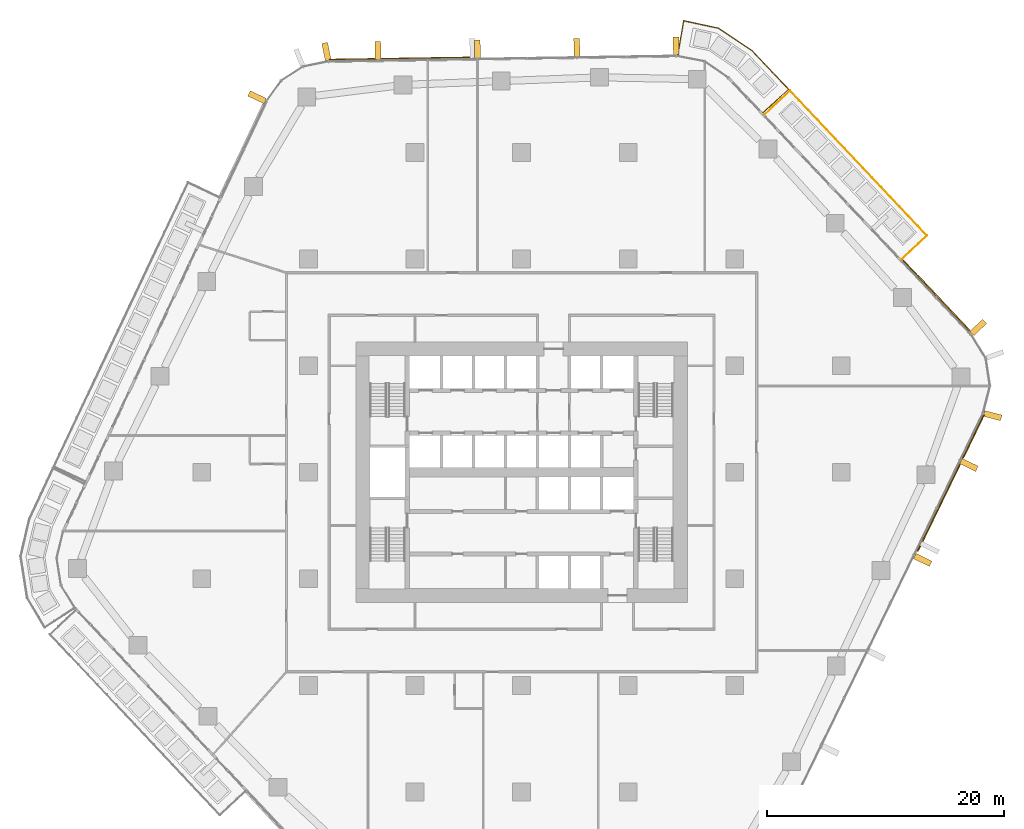
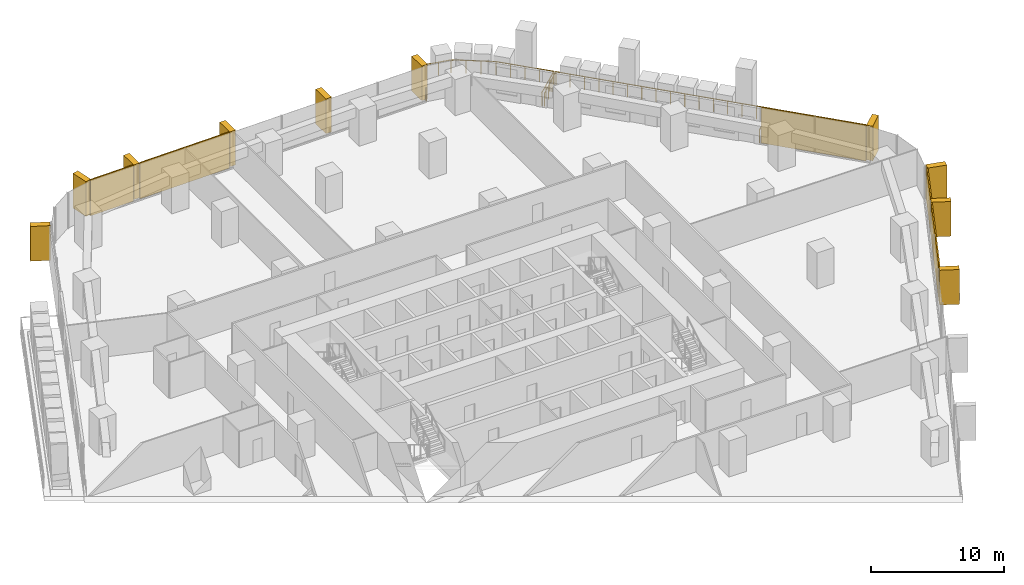
# One storey, part 25 of 25: 15 coverings, 2 railings, 6 elements without a shape of their own.
"""IFC4 building model written with IfcOpenShell, lengths in metres."""

from ifc_helpers import new_model, si_unit, direction, frame, origin, origin_2d, place, context, subcontext, project, spatial, rectangle, circle, extrude, material, layer, layer_set, material_profile, profile_set, type_object, element, aggregate, save


model = new_model("IFC4")

# Units and contexts
model_context = context("Model", 3, precision=1e-05, world=origin(), true_north=direction((0.0, 1.0)))
body_context = subcontext(model_context, "Body", "Model", "MODEL_VIEW")
ifc_project = project(units=[si_unit("LENGTHUNIT", "METRE"), si_unit("AREAUNIT", "SQUARE_METRE"), si_unit("VOLUMEUNIT", "CUBIC_METRE"), si_unit("PLANEANGLEUNIT", "RADIAN"), si_unit("MASSUNIT", "GRAM", prefix="KILO")], contexts=[model_context])

# Site, building, storey
site_placement = place(None, origin())
site = spatial("IfcSite", under=ifc_project, at=site_placement, CompositionType="ELEMENT")
building_placement = place(site_placement, origin())
building = spatial("IfcBuilding", under=site, at=building_placement, Name="Dongbaek Canopy Tower", CompositionType="ELEMENT")
storey_placement = place(building_placement, frame((0.0, 0.0, 81.0)))
storey = spatial("IfcBuildingStorey", under=building, at=storey_placement, Name="L16", CompositionType="ELEMENT", Elevation=81.0)

# Railings
ifc_material_1 = material(Name="Stainless steel", Category="steel")
railing_type = type_object("IfcRailingType", Name="Balcony balustrade 1200", PredefinedType="BALUSTRADE", material=ifc_material_1)
railing_1_placement = place(storey_placement, frame((32.0927734375, 17.977783203125, 0.0)))
element("IfcRailing", 1, at=railing_1_placement, inside=storey, type_object=railing_type, Name="Balcony guard L16 1", PredefinedType="BALUSTRADE", context=body_context, shape_type="SweptSolid", body=[
    extrude(circle(Radius=0.02392578125, at=origin_2d()), frame((0.0, 0.0, 1.17578125), z_axis=(0.726674541298, 0.686981885517, 0.0), x_axis=(-0.686981885517, 0.726674541298, 0.0)), (0.0, 0.0, 1.0), 2.940185546875),
    extrude(circle(Radius=0.02392578125, at=origin_2d()), frame((2.136474609375, 2.019775390625, 1.17578125), z_axis=(-0.687008178482, 0.726649683616, 0.0), x_axis=(-0.726649683616, -0.687008178482, 0.0)), (0.0, 0.0, 1.0), 16.82568359375),
    extrude(circle(Radius=0.02392578125, at=origin_2d()), frame((-9.4228515625, 14.24609375, 1.17578125), z_axis=(-0.72663534797, -0.687023341001, 0.0), x_axis=(0.687023341001, -0.72663534797, 0.0)), (0.0, 0.0, 1.0), 2.93994140625),
    extrude(circle(Radius=0.02099609375, at=origin_2d()), origin(), (0.0, 0.0, 1.0), 1.15185546875),
    extrude(circle(Radius=0.02099609375, at=origin_2d()), frame((0.712158203125, 0.67333984375, 0.0)), (0.0, 0.0, 1.0), 1.15185546875),
    extrude(circle(Radius=0.02099609375, at=origin_2d()), frame((1.42431640625, 1.346435546875, 0.0)), (0.0, 0.0, 1.0), 1.15185546875),
    extrude(circle(Radius=0.02099609375, at=origin_2d()), frame((2.136474609375, 2.019775390625, 0.0)), (0.0, 0.0, 1.0), 1.15185546875),
    extrude(circle(Radius=0.02099609375, at=origin_2d()), frame((1.365966796875, 2.8349609375, 0.0)), (0.0, 0.0, 1.0), 1.15185546875),
    extrude(circle(Radius=0.02099609375, at=origin_2d()), frame((0.59521484375, 3.64990234375, 0.0)), (0.0, 0.0, 1.0), 1.15185546875),
    extrude(circle(Radius=0.02099609375, at=origin_2d()), frame((-0.17529296875, 4.465087890625, 0.0)), (0.0, 0.0, 1.0), 1.15185546875),
    extrude(circle(Radius=0.02099609375, at=origin_2d()), frame((-0.946044921875, 5.280029296875, 0.0)), (0.0, 0.0, 1.0), 1.15185546875),
    extrude(circle(Radius=0.02099609375, at=origin_2d()), frame((-1.716552734375, 6.09521484375, 0.0)), (0.0, 0.0, 1.0), 1.15185546875),
    extrude(circle(Radius=0.02099609375, at=origin_2d()), frame((-2.4873046875, 6.910400390625, 0.0)), (0.0, 0.0, 1.0), 1.15185546875),
    extrude(circle(Radius=0.02099609375, at=origin_2d()), frame((-3.2578125, 7.725341796875, 0.0)), (0.0, 0.0, 1.0), 1.15185546875),
    extrude(circle(Radius=0.02099609375, at=origin_2d()), frame((-4.028564453125, 8.54052734375, 0.0)), (0.0, 0.0, 1.0), 1.15185546875),
    extrude(circle(Radius=0.02099609375, at=origin_2d()), frame((-4.799072265625, 9.35546875, 0.0)), (0.0, 0.0, 1.0), 1.15185546875),
    extrude(circle(Radius=0.02099609375, at=origin_2d()), frame((-5.56982421875, 10.170654296875, 0.0)), (0.0, 0.0, 1.0), 1.15185546875),
    extrude(circle(Radius=0.02099609375, at=origin_2d()), frame((-6.34033203125, 10.98583984375, 0.0)), (0.0, 0.0, 1.0), 1.15185546875),
    extrude(circle(Radius=0.02099609375, at=origin_2d()), frame((-7.111083984375, 11.80078125, 0.0)), (0.0, 0.0, 1.0), 1.15185546875),
    extrude(circle(Radius=0.02099609375, at=origin_2d()), frame((-7.881591796875, 12.615966796875, 0.0)), (0.0, 0.0, 1.0), 1.15185546875),
    extrude(circle(Radius=0.02099609375, at=origin_2d()), frame((-8.65234375, 13.430908203125, 0.0)), (0.0, 0.0, 1.0), 1.15185546875),
    extrude(circle(Radius=0.02099609375, at=origin_2d()), frame((-9.4228515625, 14.24609375, 0.0)), (0.0, 0.0, 1.0), 1.15185546875),
    extrude(circle(Radius=0.02099609375, at=origin_2d()), frame((-10.135009765625, 13.57275390625, 0.0)), (0.0, 0.0, 1.0), 1.15185546875),
    extrude(circle(Radius=0.02099609375, at=origin_2d()), frame((-10.846923828125, 12.899658203125, 0.0)), (0.0, 0.0, 1.0), 1.15185546875),
    extrude(circle(Radius=0.02099609375, at=origin_2d()), frame((-11.55908203125, 12.226318359375, 0.0)), (0.0, 0.0, 1.0), 1.15185546875),
])
railing_2_placement = place(storey_placement, frame((20.382568359375, 30.364013671875, 0.0)))
element("IfcRailing", 2, at=railing_2_placement, inside=storey, type_object=railing_type, Name="Balcony guard L16 5", PredefinedType="BALUSTRADE", context=body_context, shape_type="SweptSolid", body=[
    extrude(circle(Radius=0.02392578125, at=origin_2d()), frame((0.0, 0.0, 1.17578125), z_axis=(0.740525871867, 0.672027851429, 0.0), x_axis=(-0.672027851429, 0.740525871867, 0.0)), (0.0, 0.0, 1.0), 2.9404296875),
    extrude(circle(Radius=0.02392578125, at=origin_2d()), frame((2.177490234375, 1.97607421875, 1.17578125), z_axis=(-0.689539063017, 0.724248493663, 0.0), x_axis=(-0.724248493663, -0.689539063017, 0.0)), (0.0, 0.0, 1.0), 4.515625),
    extrude(circle(Radius=0.02392578125, at=origin_2d()), frame((-0.936279296875, 5.24658203125, 1.17578125), z_axis=(-0.829731235226, 0.55816312785, 0.0), x_axis=(-0.55816312785, -0.829731235226, 0.0)), (0.0, 0.0, 1.0), 3.37939453125),
    extrude(circle(Radius=0.02392578125, at=origin_2d()), frame((-3.740234375, 7.1328125, 1.17578125), z_axis=(-0.977538322671, 0.210757746498, 0.0), x_axis=(-0.210757746498, -0.977538322671, 0.0)), (0.0, 0.0, 1.0), 3.025634765625),
    extrude(circle(Radius=0.02392578125, at=origin_2d()), frame((-6.697998046875, 7.7705078125, 1.17578125), z_axis=(-0.170279451724, -0.985395813022, 0.0), x_axis=(0.985395813022, -0.170279451724, 0.0)), (0.0, 0.0, 1.0), 2.940673828125),
    extrude(circle(Radius=0.02099609375, at=origin_2d()), origin(), (0.0, 0.0, 1.0), 1.15185546875),
    extrude(circle(Radius=0.02099609375, at=origin_2d()), frame((0.725830078125, 0.65869140625, 0.0)), (0.0, 0.0, 1.0), 1.15185546875),
    extrude(circle(Radius=0.02099609375, at=origin_2d()), frame((1.45166015625, 1.3173828125, 0.0)), (0.0, 0.0, 1.0), 1.15185546875),
    extrude(circle(Radius=0.02099609375, at=origin_2d()), frame((2.177490234375, 1.97607421875, 0.0)), (0.0, 0.0, 1.0), 1.15185546875),
    extrude(circle(Radius=0.02099609375, at=origin_2d()), frame((1.39892578125, 2.793701171875, 0.0)), (0.0, 0.0, 1.0), 1.15185546875),
    extrude(circle(Radius=0.02099609375, at=origin_2d()), frame((0.62060546875, 3.611328125, 0.0)), (0.0, 0.0, 1.0), 1.15185546875),
    extrude(circle(Radius=0.02099609375, at=origin_2d()), frame((-0.15771484375, 4.428955078125, 0.0)), (0.0, 0.0, 1.0), 1.15185546875),
    extrude(circle(Radius=0.02099609375, at=origin_2d()), frame((-0.936279296875, 5.24658203125, 0.0)), (0.0, 0.0, 1.0), 1.15185546875),
    extrude(circle(Radius=0.02099609375, at=origin_2d()), frame((-1.870849609375, 5.875244140625, 0.0)), (0.0, 0.0, 1.0), 1.15185546875),
    extrude(circle(Radius=0.02099609375, at=origin_2d()), frame((-2.8056640625, 6.504150390625, 0.0)), (0.0, 0.0, 1.0), 1.15185546875),
    extrude(circle(Radius=0.02099609375, at=origin_2d()), frame((-3.740234375, 7.1328125, 0.0)), (0.0, 0.0, 1.0), 1.15185546875),
    extrude(circle(Radius=0.02099609375, at=origin_2d()), frame((-4.72607421875, 7.345458984375, 0.0)), (0.0, 0.0, 1.0), 1.15185546875),
    extrude(circle(Radius=0.02099609375, at=origin_2d()), frame((-5.712158203125, 7.557861328125, 0.0)), (0.0, 0.0, 1.0), 1.15185546875),
    extrude(circle(Radius=0.02099609375, at=origin_2d()), frame((-6.697998046875, 7.7705078125, 0.0)), (0.0, 0.0, 1.0), 1.15185546875),
    extrude(circle(Radius=0.02099609375, at=origin_2d()), frame((-6.864990234375, 6.8046875, 0.0)), (0.0, 0.0, 1.0), 1.15185546875),
    extrude(circle(Radius=0.02099609375, at=origin_2d()), frame((-7.03173828125, 5.838623046875, 0.0)), (0.0, 0.0, 1.0), 1.15185546875),
    extrude(circle(Radius=0.02099609375, at=origin_2d()), frame((-7.19873046875, 4.872802734375, 0.0)), (0.0, 0.0, 1.0), 1.15185546875),
])

# Curtain wall, coverings
ifc_material_2 = material(Name="Aluminium 6063-T6 pale anodised", Category="aluminium")
ifc_layer_1 = layer(ifc_material_2, 0.199951171875)
ifc_layer_set_1 = layer_set([ifc_layer_1], Name="CW-1 unitised tower curtain wall")
curtain_wall_type = type_object("IfcCurtainWallType", Name="CW-1 unitised tower curtain wall", PredefinedType="NOTDEFINED", material=ifc_layer_set_1)
curtain_wall_1_placement = place(storey_placement, origin())
curtain_wall_1 = element("IfcCurtainWall", 3, at=curtain_wall_1_placement, inside=storey, type_object=curtain_wall_type, Name="CW-1 curtain wall F5.1", PredefinedType="NOTDEFINED")
ifc_material_3 = material(Name="Perforated aluminium 6063-T6 pale metal screen", Category="aluminium")
ifc_layer_2 = layer(ifc_material_3, 0.10009765625)
ifc_layer_set_2 = layer_set([ifc_layer_2], Name="Facet screen FS1 100 pale metal")
covering_type_1 = type_object("IfcCoveringType", Name="Facet screen FS1 100 pale metal", PredefinedType="CLADDING", material=ifc_layer_set_2)
covering_1_placement = place(storey_placement, frame((35.235107421875, -3.001220703125, 0.0), z_axis=(0.0, 0.0, 1.0), x_axis=(0.437759255582, 0.899092227835, 0.0)))
covering_1 = element("IfcCovering", 4, at=covering_1_placement, type_object=covering_type_1, Name="Facet screen L16 F5", PredefinedType="CLADDING", context=body_context, shape_type="SweptSolid", body=[
    extrude(rectangle(XDim=8.156494140625, YDim=0.10009765625, at=origin_2d()), origin(), (0.0, 0.0, 1.0), 3.300048828125),
])
covering_2_placement = place(storey_placement, frame((38.15869140625, 3.003173828125, 0.0), z_axis=(0.0, 0.0, 1.0), x_axis=(0.437759255582, 0.899092227835, 0.0)))
covering_2 = element("IfcCovering", 5, at=covering_2_placement, type_object=covering_type_1, Name="Facet screen L16 F5", PredefinedType="CLADDING", context=body_context, shape_type="SweptSolid", body=[
    extrude(rectangle(XDim=4.039794921875, YDim=0.10009765625, at=origin_2d()), origin(), (0.0, 0.0, 1.0), 3.300048828125),
])

# Curtain wall, covering
curtain_wall_2_placement = place(storey_placement, origin())
curtain_wall_2 = element("IfcCurtainWall", 6, at=curtain_wall_2_placement, inside=storey, type_object=curtain_wall_type, Name="CW-1 curtain wall F0.1", PredefinedType="NOTDEFINED")
covering_3_placement = place(storey_placement, frame((35.0263671875, 14.94189453125, 0.0), z_axis=(0.0, 0.0, 1.0), x_axis=(-0.687005079101, 0.726652613901, 0.0)))
covering_3 = element("IfcCovering", 7, at=covering_3_placement, type_object=covering_type_1, Name="Facet screen L16 F0", PredefinedType="CLADDING", context=body_context, shape_type="SweptSolid", body=[
    extrude(rectangle(XDim=8.22265625, YDim=0.10009765625, at=origin_2d()), origin(), (0.0, 0.0, 1.0), 3.300048828125),
])

# Curtain wall, coverings
curtain_wall_3_placement = place(storey_placement, origin())
curtain_wall_3 = element("IfcCurtainWall", 8, at=curtain_wall_3_placement, inside=storey, type_object=curtain_wall_type, Name="CW-1 curtain wall F1.1", PredefinedType="NOTDEFINED")
covering_4_placement = place(storey_placement, frame((-7.92138671875, 34.972412109375, 0.0), z_axis=(0.0, 0.0, 1.0), x_axis=(-0.999875588534, -0.015773631607, 0.0)))
covering_4 = element("IfcCovering", 9, at=covering_4_placement, type_object=covering_type_1, Name="Facet screen L16 F1", PredefinedType="CLADDING", context=body_context, shape_type="SweptSolid", body=[
    extrude(rectangle(XDim=7.819580078125, YDim=0.10009765625, at=origin_2d()), origin(), (0.0, 0.0, 1.0), 3.300048828125),
])
covering_5_placement = place(storey_placement, frame((-14.294189453125, 34.871826171875, 0.0), z_axis=(0.0, 0.0, 1.0), x_axis=(-0.999875588534, -0.015773631607, 0.0)))
covering_5 = element("IfcCovering", 10, at=covering_5_placement, type_object=covering_type_1, Name="Facet screen L16 F1", PredefinedType="CLADDING", context=body_context, shape_type="SweptSolid", body=[
    extrude(rectangle(XDim=3.767333984375, YDim=0.10009765625, at=origin_2d()), origin(), (0.0, 0.0, 1.0), 3.300048828125),
])

# Curtain wall, covering
curtain_wall_4_placement = place(storey_placement, origin())
curtain_wall_4 = element("IfcCurtainWall", 11, at=curtain_wall_4_placement, inside=storey, type_object=curtain_wall_type, Name="CW-1 curtain wall K0.1", PredefinedType="NOTDEFINED")
ifc_material_4 = material(Name="Aluminium 6063-T6 pale metal fin", Category="aluminium")
ifc_material_profile = material_profile(ifc_material_4, rectangle(XDim=1.5, YDim=0.5, at=origin_2d()), Name="Fin FN1 500 x 1500 pale metal")
ifc_profile_set = profile_set([ifc_material_profile], Name="Aluminium 6063-T6 pale metal fin")
covering_type_2 = type_object("IfcCoveringType", Name="Fin FN1 500 x 1500 pale metal", PredefinedType="CLADDING", material=ifc_profile_set)
covering_6_placement = place(storey_placement, frame((39.787109375, 4.779296875, 0.1201171875), z_axis=(0.0, 0.0, 1.0), x_axis=(0.968574939912, -0.248721904492, 0.0)))
covering_6 = element("IfcCovering", 12, at=covering_6_placement, type_object=covering_type_2, Name="Fin K0.1.1", PredefinedType="CLADDING", context=body_context, shape_type="SweptSolid", body=[
    extrude(rectangle(XDim=1.5, YDim=0.5, at=origin_2d()), origin(), (0.0, 0.0, 1.0), 3.179931640625),
])
aggregate(curtain_wall_4, [covering_6])

# Covering
covering_7_placement = place(storey_placement, frame((38.561767578125, 12.227294921875, 0.1201171875), z_axis=(0.0, 0.0, 1.0), x_axis=(0.72665252709, 0.687005170923, 0.0)))
covering_7 = element("IfcCovering", 13, at=covering_7_placement, type_object=covering_type_2, Name="Fin F0.1.1", PredefinedType="CLADDING", context=body_context, shape_type="SweptSolid", body=[
    extrude(rectangle(XDim=1.5, YDim=0.5, at=origin_2d()), origin(), (0.0, 0.0, 1.0), 3.179931640625),
])

aggregate(curtain_wall_2, [covering_7, covering_3])

covering_8_placement = place(storey_placement, frame((13.0537109375, 36.007568359375, 0.1201171875), z_axis=(0.0, 0.0, 1.0), x_axis=(-0.015774398409, 0.999875576437, 0.0)))
covering_8 = element("IfcCovering", 14, at=covering_8_placement, type_object=covering_type_2, Name="Fin F1.1.1", PredefinedType="CLADDING", context=body_context, shape_type="SweptSolid", body=[
    extrude(rectangle(XDim=1.5, YDim=0.5, at=origin_2d()), origin(), (0.0, 0.0, 1.0), 3.179931640625),
])

covering_9_placement = place(storey_placement, frame((4.66552734375, 35.875244140625, 0.1201171875), z_axis=(0.0, 0.0, 1.0), x_axis=(-0.015774398409, 0.999875576437, 0.0)))
covering_9 = element("IfcCovering", 15, at=covering_9_placement, type_object=covering_type_2, Name="Fin F1.1.3", PredefinedType="CLADDING", context=body_context, shape_type="SweptSolid", body=[
    extrude(rectangle(XDim=1.5, YDim=0.5, at=origin_2d()), origin(), (0.0, 0.0, 1.0), 3.179931640625),
])

covering_10_placement = place(storey_placement, frame((-3.733154296875, 35.74267578125, 0.1201171875), z_axis=(0.0, 0.0, 1.0), x_axis=(-0.015774398409, 0.999875576437, 0.0)))
covering_10 = element("IfcCovering", 16, at=covering_10_placement, type_object=covering_type_2, Name="Fin F1.1.5", PredefinedType="CLADDING", context=body_context, shape_type="SweptSolid", body=[
    extrude(rectangle(XDim=1.5, YDim=0.5, at=origin_2d()), origin(), (0.0, 0.0, 1.0), 3.179931640625),
])

covering_11_placement = place(storey_placement, frame((-12.1318359375, 35.610107421875, 0.1201171875), z_axis=(0.0, 0.0, 1.0), x_axis=(-0.015774398409, 0.999875576437, 0.0)))
covering_11 = element("IfcCovering", 17, at=covering_11_placement, type_object=covering_type_2, Name="Fin F1.1.7", PredefinedType="CLADDING", context=body_context, shape_type="SweptSolid", body=[
    extrude(rectangle(XDim=1.5, YDim=0.5, at=origin_2d()), origin(), (0.0, 0.0, 1.0), 3.179931640625),
])

aggregate(curtain_wall_3, [covering_8, covering_9, covering_10, covering_11, covering_4, covering_5])

# Curtain wall, covering
curtain_wall_5_placement = place(storey_placement, origin())
curtain_wall_5 = element("IfcCurtainWall", 18, at=curtain_wall_5_placement, inside=storey, type_object=curtain_wall_type, Name="CW-1 curtain wall K2.1", PredefinedType="NOTDEFINED")
covering_12_placement = place(storey_placement, frame((-16.478515625, 35.52685546875, 0.1201171875), z_axis=(0.0, 0.0, 1.0), x_axis=(-0.200028966133, 0.97978998398, 0.0)))
covering_12 = element("IfcCovering", 19, at=covering_12_placement, type_object=covering_type_2, Name="Fin K2.1.1", PredefinedType="CLADDING", context=body_context, shape_type="SweptSolid", body=[
    extrude(rectangle(XDim=1.5, YDim=0.5, at=origin_2d()), origin(), (0.0, 0.0, 1.0), 3.179931640625),
])
aggregate(curtain_wall_5, [covering_12])

curtain_wall_6_placement = place(storey_placement, origin())
curtain_wall_6 = element("IfcCurtainWall", 20, at=curtain_wall_6_placement, inside=storey, type_object=curtain_wall_type, Name="CW-1 curtain wall F2.1", PredefinedType="NOTDEFINED")
covering_13_placement = place(storey_placement, frame((-22.33203125, 31.669677734375, 0.1201171875), z_axis=(0.0, 0.0, 1.0), x_axis=(-0.904177236997, 0.427157493317, 0.0)))
covering_13 = element("IfcCovering", 21, at=covering_13_placement, type_object=covering_type_2, Name="Fin F2.1.1", PredefinedType="CLADDING", context=body_context, shape_type="SweptSolid", body=[
    extrude(rectangle(XDim=1.5, YDim=0.5, at=origin_2d()), origin(), (0.0, 0.0, 1.0), 3.179931640625),
])
aggregate(curtain_wall_6, [covering_13])

# Covering
covering_14_placement = place(storey_placement, frame((33.875732421875, -7.401123046875, 0.1201171875), z_axis=(0.0, 0.0, 1.0), x_axis=(0.899092424879, -0.437758850882, 0.0)))
covering_14 = element("IfcCovering", 22, at=covering_14_placement, type_object=covering_type_2, Name="Fin F5.1.7", PredefinedType="CLADDING", context=body_context, shape_type="SweptSolid", body=[
    extrude(rectangle(XDim=1.5, YDim=0.5, at=origin_2d()), origin(), (0.0, 0.0, 1.0), 3.179931640625),
])

covering_15_placement = place(storey_placement, frame((37.7802734375, 0.6181640625, 0.1201171875), z_axis=(0.0, 0.0, 1.0), x_axis=(0.899092424879, -0.437758850882, 0.0)))
covering_15 = element("IfcCovering", 23, at=covering_15_placement, type_object=covering_type_2, Name="Fin F5.1.9", PredefinedType="CLADDING", context=body_context, shape_type="SweptSolid", body=[
    extrude(rectangle(XDim=1.5, YDim=0.5, at=origin_2d()), origin(), (0.0, 0.0, 1.0), 3.179931640625),
])

aggregate(curtain_wall_1, [covering_14, covering_15, covering_1, covering_2])

save(model, "model.ifc")
